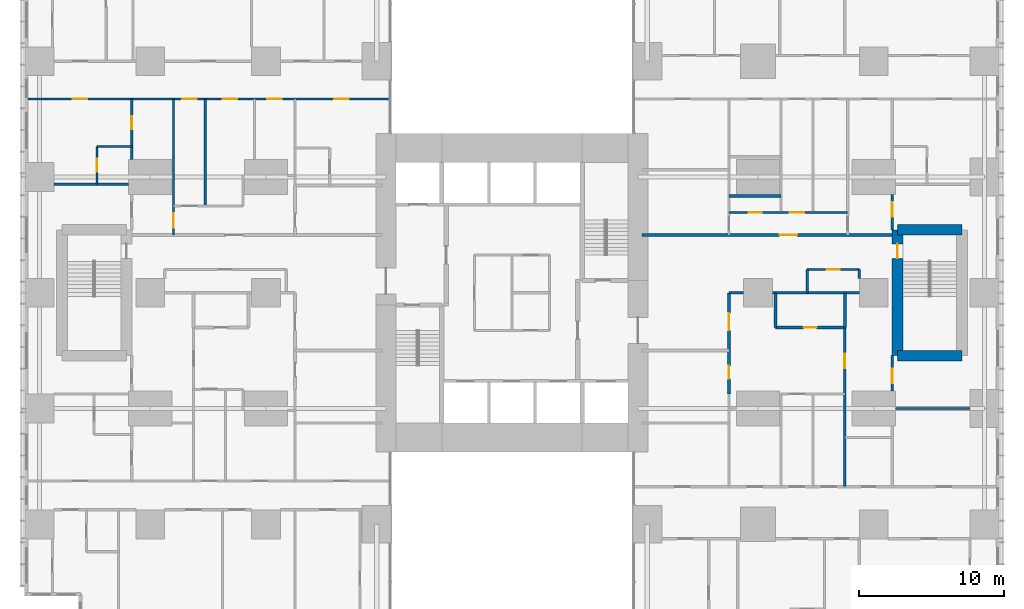
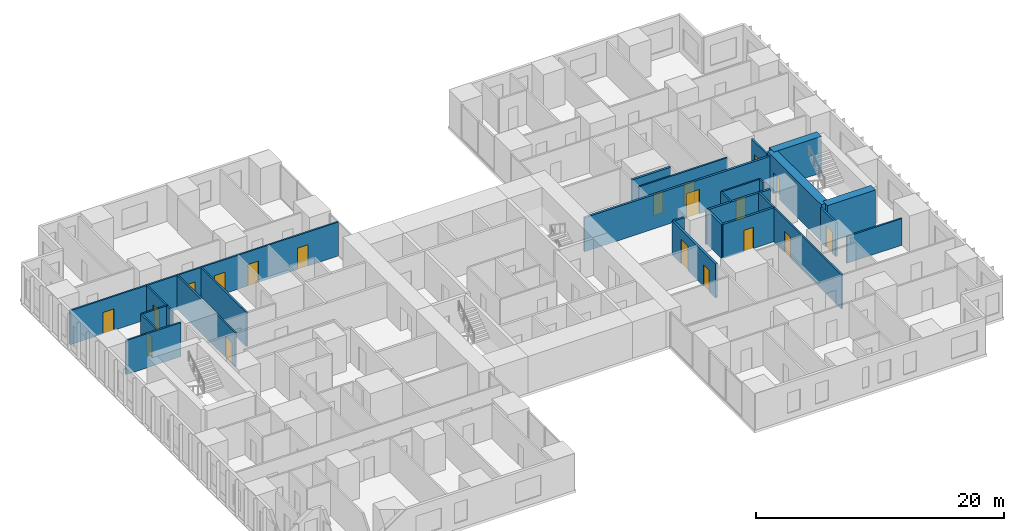
# One storey, part 16 of 20: 26 walls, 19 doors, 19 openings.
"""IFC4 building model written with IfcOpenShell, lengths in metres."""

import ifcopenshell
import ifcopenshell.guid

model = None  # the IFC model being written
_history = None  # IfcOwnerHistory: only IFC2X3 demands one
_inside = {}  # id of a spatial element -> (the spatial element, [elements in it])
_under = {}  # id of a project, library or spatial element -> (it, [spatial elements below it])
_declared = {}  # id of a project -> (the project, [libraries it declares])
_typed = {}  # id of a type object -> (the type object, [elements of that type])
_made_of = {}  # id of a material, layer set ... -> (it, [elements and type objects made of it])


def new_model(schema):
    """Start an empty IFC model of exactly this schema.

    Asked for "IFC4X3", IfcOpenShell would pick the latest addendum, in which some entities
    have other attributes; the version numbers below select the first issue.
    IFC2X3 requires an IfcOwnerHistory on every rooted entity: one is made here for all.
    """
    global model, _history
    if schema == "IFC4X3":
        model = ifcopenshell.file(schema_version=(4, 3, 0, 0))
    else:
        model = ifcopenshell.file(schema=schema)
    _inside.clear()
    _under.clear()
    _declared.clear()
    _typed.clear()
    _made_of.clear()
    _history = None
    if model.schema == "IFC2X3":
        org = make("IfcOrganization", Name="unknown")
        user = make(
            "IfcPersonAndOrganization",
            ThePerson=make("IfcPerson", FamilyName="unknown"),
            TheOrganization=org,
        )
        app = make(
            "IfcApplication",
            ApplicationDeveloper=org,
            Version="unknown",
            ApplicationFullName="unknown",
            ApplicationIdentifier="unknown",
        )
        _history = make(
            "IfcOwnerHistory",
            OwningUser=user,
            OwningApplication=app,
            ChangeAction="ADDED",
            CreationDate=0,
        )
    return model


def make(cls, **values):
    """One entity of the class cls with the attributes given. An attribute that is None is left unset."""
    return model.create_entity(
        cls, **{name: value for name, value in values.items() if value is not None}
    )


def rooted(cls, **values):
    """An entity with a GlobalId (a new one), such as an element, a storey or a relation."""
    return make(cls, GlobalId=ifcopenshell.guid.new(), OwnerHistory=_history, **values)


def si_unit(unit_type, name, prefix=None):
    """IfcSIUnit, for example si_unit("LENGTHUNIT", "METRE", prefix="MILLI")."""
    return make("IfcSIUnit", UnitType=unit_type, Prefix=prefix, Name=name)


def assignment(units):
    """IfcUnitAssignment: the units of a project."""
    return None if units is None else make("IfcUnitAssignment", Units=units)


def point(xyz):
    """IfcCartesianPoint."""
    return None if xyz is None else make("IfcCartesianPoint", Coordinates=xyz)


def direction(xyz):
    """IfcDirection."""
    return None if xyz is None else make("IfcDirection", DirectionRatios=xyz)


def frame(location, z_axis=None, x_axis=None):
    """IfcAxis2Placement3D, a coordinate frame: its origin and axes. An axis left out is left unset."""
    return make(
        "IfcAxis2Placement3D",
        Location=point(location),
        Axis=direction(z_axis),
        RefDirection=direction(x_axis),
    )


def frame_2d(location, x_axis=None):
    """IfcAxis2Placement2D, a coordinate frame in the plane: its origin and x axis."""
    return make(
        "IfcAxis2Placement2D", Location=point(location), RefDirection=direction(x_axis)
    )


def origin():
    """The frame at (0, 0, 0) with its axes left unset."""
    return frame((0.0, 0.0, 0.0))


def place(relative_to, where):
    """IfcLocalPlacement: puts the frame where relative to a parent placement (None: the world)."""
    return make(
        "IfcLocalPlacement", PlacementRelTo=relative_to, RelativePlacement=where
    )


def context(
    kind, dimensions, precision=None, world=None, true_north=None, identifier=None
):
    """IfcGeometricRepresentationContext, for example the 3D "Model" context."""
    return make(
        "IfcGeometricRepresentationContext",
        ContextIdentifier=identifier,
        ContextType=kind,
        CoordinateSpaceDimension=dimensions,
        Precision=precision,
        WorldCoordinateSystem=world,
        TrueNorth=true_north,
    )


def subcontext(parent, identifier, kind, view, scale=None):
    """IfcGeometricRepresentationSubContext, for example "Body" below "Model"."""
    return make(
        "IfcGeometricRepresentationSubContext",
        ContextIdentifier=identifier,
        ContextType=kind,
        ParentContext=parent,
        TargetScale=scale,
        TargetView=view,
    )


def project(units=None, contexts=None):
    """IfcProject with its units and contexts."""
    return rooted(
        "IfcProject",
        Name="project",
        RepresentationContexts=contexts,
        UnitsInContext=assignment(units),
    )


def spatial(cls, under=None, at=None, **own):
    """A site, building, storey or space (cls), placed at a placement, below another one or the project."""
    s = rooted(cls, ObjectPlacement=at, **own)
    if under is not None:
        _under.setdefault(under.id(), (under, []))[1].append(s)
    return s


def profile(cls, at=None, kind="AREA", **sizes):
    """A parametric profile (cls). Its sizes go by their IFC names, for example OverallWidth=200.0."""
    return make(cls, ProfileType=kind, Position=at, **sizes)


def rectangle(**sizes):
    """IfcRectangleProfileDef."""
    return profile("IfcRectangleProfileDef", **sizes)


def extrude(swept, where, along, depth):
    """IfcExtrudedAreaSolid: the profile swept, set in the frame where, extruded along a direction by depth."""
    return make(
        "IfcExtrudedAreaSolid",
        SweptArea=swept,
        Position=where,
        ExtrudedDirection=direction(along),
        Depth=depth,
    )


def shape(context_of_items, identifier, shape_type, items):
    """IfcShapeRepresentation: the items that make up one representation, for example the "Body"."""
    return make(
        "IfcShapeRepresentation",
        ContextOfItems=context_of_items,
        RepresentationIdentifier=identifier,
        RepresentationType=shape_type,
        Items=items,
    )


def material(Name=None, Category=None):
    """IfcMaterial."""
    return make("IfcMaterial", Name=Name, Category=Category)


def layer(
    of_material, thickness, ventilated=None, Name=None, Category=None, Priority=None
):
    """IfcMaterialLayer: one layer of a wall or slab, of a material (None: an air gap)."""
    return make(
        "IfcMaterialLayer",
        Material=of_material,
        LayerThickness=thickness,
        IsVentilated=ventilated,
        Name=Name,
        Category=Category,
        Priority=Priority,
    )


def layer_set(layers, Name=None):
    """IfcMaterialLayerSet."""
    return make("IfcMaterialLayerSet", MaterialLayers=layers, LayerSetName=Name)


def made_of(thing, what):
    """Note that an element or type object is made of a material, layer set ...; save() writes the relation."""
    if what is not None:
        _made_of.setdefault(what.id(), (what, []))[1].append(thing)
    return thing


def type_object(cls, material=None, **own):
    """A type object (cls), such as IfcWallType, which elements share."""
    return made_of(rooted(cls, **own), material)


def element(
    cls,
    number,
    at=None,
    inside=None,
    cuts=None,
    type_object=None,
    material=None,
    context=None,
    identifier="Body",
    shape_type=None,
    held_by="IfcProductDefinitionShape",
    body=None,
    shapes=None,
    **own,
):
    """One element of the class cls, such as IfcWall. Its Tag is "e" and its number.

    at: its placement. inside: the storey or other place that contains it. cuts: it is an
    opening in that element (IfcRelVoidsElement). A single representation is given by context,
    identifier, shape_type and body (its items); several are given by shapes. held_by: the class
    of the entity that holds the representations. save() writes the other relations.
    """
    e = rooted(cls, Tag="e%d" % number, ObjectPlacement=at, **own)
    if body is not None:
        shapes = [shape(context, identifier, shape_type, body)]
    if shapes is not None:
        e.Representation = make(held_by, Representations=shapes)
    if inside is not None:
        _inside.setdefault(inside.id(), (inside, []))[1].append(e)
    if cuts is not None:
        rooted(
            "IfcRelVoidsElement", RelatingBuildingElement=cuts, RelatedOpeningElement=e
        )
    if type_object is not None:
        _typed.setdefault(type_object.id(), (type_object, []))[1].append(e)
    return made_of(e, material)


def fill(opening, filler):
    """IfcRelFillsElement: the door or window that sits in an opening."""
    return rooted(
        "IfcRelFillsElement",
        RelatingOpeningElement=opening,
        RelatedBuildingElement=filler,
    )


def aggregate(whole, parts):
    """IfcRelAggregates: a whole, such as a stair, and the parts it consists of."""
    return rooted("IfcRelAggregates", RelatingObject=whole, RelatedObjects=parts)


def save(model, path):
    """Write the relations noted so far, then the file.

    IfcRelAggregates (storeys below a building ...), IfcRelContainedInSpatialStructure (elements
    in a storey), IfcRelDefinesByType, IfcRelAssociatesMaterial and IfcRelDeclares: one each for
    every whole, place, type object, material and project.
    """
    for whole, parts in _under.values():
        aggregate(whole, parts)
    for where, things in _inside.values():
        rooted(
            "IfcRelContainedInSpatialStructure",
            RelatedElements=things,
            RelatingStructure=where,
        )
    for kind, things in _typed.values():
        rooted("IfcRelDefinesByType", RelatedObjects=things, RelatingType=kind)
    for what, things in _made_of.values():
        rooted("IfcRelAssociatesMaterial", RelatedObjects=things, RelatingMaterial=what)
    for by, libraries in _declared.values():
        rooted("IfcRelDeclares", RelatingContext=by, RelatedDefinitions=libraries)
    model.write(path)


model = new_model("IFC4")

# Units and contexts
model_context = context("Model", 3, precision=1e-05, world=origin(), true_north=direction((0.0, 1.0)))
body_context = subcontext(model_context, "Body", "Model", "MODEL_VIEW")
ifc_project = project(units=[si_unit("LENGTHUNIT", "METRE"), si_unit("AREAUNIT", "SQUARE_METRE"), si_unit("VOLUMEUNIT", "CUBIC_METRE"), si_unit("PLANEANGLEUNIT", "RADIAN"), si_unit("MASSUNIT", "GRAM", prefix="KILO")], contexts=[model_context])

# Site, building, storey
site_placement = place(None, origin())
site = spatial("IfcSite", under=ifc_project, at=site_placement, CompositionType="ELEMENT")
building_placement = place(site_placement, origin())
building = spatial("IfcBuilding", under=site, at=building_placement, Name="Cleftline Residences", CompositionType="ELEMENT")
storey_placement = place(building_placement, frame((0.0, 0.0, 72.800048828125)))
storey = spatial("IfcBuildingStorey", under=building, at=storey_placement, Name="L18", CompositionType="ELEMENT", Elevation=72.800048828125)

# Wall, opening, door
ifc_material_1 = material(Name="Concrete blockwork, fire rated", Category="masonry")
ifc_layer_1 = layer(ifc_material_1, 0.199951171875)
ifc_layer_set_1 = layer_set([ifc_layer_1], Name="FIRE WALL 200")
wall_type_1 = type_object("IfcWallType", Name="FIRE WALL 200", PredefinedType="PARTITIONING", material=ifc_layer_set_1)
wall_1_placement = place(storey_placement, frame((51.199951171875, 21.60009765625, 0.0), z_axis=(0.0, 0.0, 1.0), x_axis=(1.0, 0.0, 0.0)))
wall_1 = element("IfcWall", 1, at=wall_1_placement, inside=storey, type_object=wall_type_1, Name="Fire separating wall", PredefinedType="PARTITIONING", context=body_context, shape_type="SweptSolid", body=[
    extrude(rectangle(XDim=4.800048828125, YDim=0.199951171875, at=frame_2d((2.39990234375, 0.0))), origin(), (0.0, 0.0, 1.0), 3.349853515625),
])
opening_1_placement = place(wall_1_placement, frame((1.949951171875, 0.0, 0.0)))
opening_1 = element("IfcOpeningElement", 2, at=opening_1_placement, cuts=wall_1, Name="Opening D1F30", PredefinedType="OPENING", context=body_context, shape_type="SweptSolid", body=[
    extrude(rectangle(XDim=0.89990234375, YDim=2.10009765625, at=frame_2d((0.449951171875, 1.050048828125))), frame((0.0, 0.10986328125, 0.0), z_axis=(0.0, -1.0, 0.0), x_axis=(1.0, 0.0, 0.0)), (0.0, 0.0, 1.0), 0.219970703125),
])
ifc_material_2 = material(Name="Timber veneer on solid core", Category="wood")
door_type_1 = type_object("IfcDoorType", Name="DOOR 900X2100 EI 30", OperationType="SINGLE_SWING_LEFT", PredefinedType="DOOR", material=ifc_material_2)
door_1_placement = place(opening_1_placement, origin())
door_1 = element("IfcDoor", 3, at=door_1_placement, inside=storey, type_object=door_type_1, Name="Door to cloakroom wc", OperationType="SINGLE_SWING_LEFT", OverallHeight=2.10009765625, OverallWidth=0.89990234375, PredefinedType="DOOR", context=body_context, shape_type="SweptSolid", body=[
    extrude(rectangle(XDim=0.89990234375, YDim=2.10009765625, at=frame_2d((0.449951171875, 1.050048828125))), frame((0.0, 0.02490234375, 0.0), z_axis=(0.0, -1.0, 0.0), x_axis=(1.0, 0.0, 0.0)), (0.0, 0.0, 1.0), 0.050048828125),
])
fill(opening_1, door_1)

# Walls
wall_2_placement = place(storey_placement, frame((48.0, 24.0, 0.0), z_axis=(0.0, 0.0, 1.0), x_axis=(1.0, 0.0, 0.0)))
element("IfcWall", 4, at=wall_2_placement, inside=storey, type_object=wall_type_1, Name="Fire separating wall", PredefinedType="PARTITIONING", context=body_context, shape_type="SweptSolid", body=[
    extrude(rectangle(XDim=1.0, YDim=0.199951171875, at=frame_2d((0.5, 0.0))), origin(), (0.0, 0.0, 1.0), 3.349853515625),
])
wall_3_placement = place(storey_placement, frame((51.0, 24.0, 0.0), z_axis=(0.0, 0.0, 1.0), x_axis=(1.0, 0.0, 0.0)))
element("IfcWall", 5, at=wall_3_placement, inside=storey, type_object=wall_type_1, Name="Fire separating wall", PredefinedType="PARTITIONING", context=body_context, shape_type="SweptSolid", body=[
    extrude(rectangle(XDim=6.0, YDim=0.199951171875, at=frame_2d((3.0, 0.0))), origin(), (0.0, 0.0, 1.0), 3.349853515625),
])

# Wall, opening, door
wall_4_placement = place(storey_placement, frame((42.0, 28.0, 0.0), z_axis=(0.0, 0.0, 1.0), x_axis=(1.0, 0.0, 0.0)))
wall_4 = element("IfcWall", 6, at=wall_4_placement, inside=storey, type_object=wall_type_1, Name="Fire separating wall", PredefinedType="PARTITIONING", context=body_context, shape_type="SweptSolid", body=[
    extrude(rectangle(XDim=17.27490234375, YDim=0.199951171875, at=frame_2d((8.637451171875, 0.0))), origin(), (0.0, 0.0, 1.0), 3.349853515625),
])
opening_2_placement = place(wall_4_placement, frame((9.5, 0.0, 0.0)))
opening_2 = element("IfcOpeningElement", 7, at=opening_2_placement, cuts=wall_4, Name="Opening D4", PredefinedType="OPENING", context=body_context, shape_type="SweptSolid", body=[
    extrude(rectangle(XDim=1.199951171875, YDim=2.39990234375, at=frame_2d((0.60009765625, 1.199951171875))), frame((0.0, 0.10986328125, 0.0), z_axis=(0.0, -1.0, 0.0), x_axis=(1.0, 0.0, 0.0)), (0.0, 0.0, 1.0), 0.219970703125),
])
ifc_material_3 = material(Name="Timber veneer on solid core", Category="wood")
door_type_2 = type_object("IfcDoorType", Name="APARTMENT ENTRANCE DOOR 1200X2400", OperationType="SINGLE_SWING_RIGHT", PredefinedType="DOOR", material=ifc_material_3)
door_2_placement = place(opening_2_placement, origin())
door_2 = element("IfcDoor", 8, at=door_2_placement, inside=storey, type_object=door_type_2, Name="Door to residence entrance foyer", OperationType="SINGLE_SWING_LEFT", OverallHeight=2.39990234375, OverallWidth=1.199951171875, PredefinedType="DOOR", context=body_context, shape_type="SweptSolid", body=[
    extrude(rectangle(XDim=1.199951171875, YDim=2.39990234375, at=frame_2d((0.60009765625, 1.199951171875))), frame((0.0, 0.02490234375, 0.0), z_axis=(0.0, -1.0, 0.0), x_axis=(1.0, 0.0, 0.0)), (0.0, 0.0, 1.0), 0.050048828125),
])
fill(opening_2, door_2)

# Wall
wall_5_placement = place(storey_placement, frame((48.0, 30.699951171875, 0.0), z_axis=(0.0, 0.0, 1.0), x_axis=(1.0, 0.0, 0.0)))
element("IfcWall", 9, at=wall_5_placement, inside=storey, type_object=wall_type_1, Name="Fire separating wall", PredefinedType="PARTITIONING", context=body_context, shape_type="SweptSolid", body=[
    extrude(rectangle(XDim=3.60009765625, YDim=0.199951171875, at=frame_2d((1.800048828125, 0.0))), origin(), (0.0, 0.0, 1.0), 3.349853515625),
])

# Wall, openings, doors
wall_6_placement = place(storey_placement, frame((48.0, 17.0, 0.0), z_axis=(0.0, 0.0, 1.0), x_axis=(0.0, 1.0, 0.0)))
wall_6 = element("IfcWall", 10, at=wall_6_placement, inside=storey, type_object=wall_type_1, Name="Fire separating wall", PredefinedType="PARTITIONING", context=body_context, shape_type="SweptSolid", body=[
    extrude(rectangle(XDim=7.0, YDim=0.199951171875, at=frame_2d((3.5, 0.0))), origin(), (0.0, 0.0, 1.0), 3.349853515625),
])
opening_3_placement = place(wall_6_placement, frame((4.39990234375, 0.0, 0.0)))
opening_3 = element("IfcOpeningElement", 11, at=opening_3_placement, cuts=wall_6, Name="Opening D4", PredefinedType="OPENING", context=body_context, shape_type="SweptSolid", body=[
    extrude(rectangle(XDim=1.199951171875, YDim=2.39990234375, at=frame_2d((0.60009765625, 1.199951171875))), frame((0.0, 0.10986328125, 0.0), z_axis=(0.0, -1.0, 0.0), x_axis=(1.0, 0.0, 0.0)), (0.0, 0.0, 1.0), 0.219970703125),
])
opening_4_placement = place(wall_6_placement, frame((1.050048828125, 0.0, 0.0)))
opening_4 = element("IfcOpeningElement", 12, at=opening_4_placement, cuts=wall_6, Name="Opening D1F30", PredefinedType="OPENING", context=body_context, shape_type="SweptSolid", body=[
    extrude(rectangle(XDim=0.89990234375, YDim=2.10009765625, at=frame_2d((0.449951171875, 1.050048828125))), frame((0.0, 0.10986328125, 0.0), z_axis=(0.0, -1.0, 0.0), x_axis=(1.0, 0.0, 0.0)), (0.0, 0.0, 1.0), 0.219970703125),
])
door_3_placement = place(opening_3_placement, origin())
door_3 = element("IfcDoor", 13, at=door_3_placement, inside=storey, type_object=door_type_2, Name="Door to residence entrance foyer", OperationType="SINGLE_SWING_LEFT", OverallHeight=2.39990234375, OverallWidth=1.199951171875, PredefinedType="DOOR", context=body_context, shape_type="SweptSolid", body=[
    extrude(rectangle(XDim=1.199951171875, YDim=2.39990234375, at=frame_2d((0.60009765625, 1.199951171875))), frame((0.0, 0.02490234375, 0.0), z_axis=(0.0, -1.0, 0.0), x_axis=(1.0, 0.0, 0.0)), (0.0, 0.0, 1.0), 0.050048828125),
])
fill(opening_3, door_3)
door_4_placement = place(opening_4_placement, origin())
door_4 = element("IfcDoor", 14, at=door_4_placement, inside=storey, type_object=door_type_1, Name="Door to laundry", OperationType="SINGLE_SWING_RIGHT", OverallHeight=2.10009765625, OverallWidth=0.89990234375, PredefinedType="DOOR", context=body_context, shape_type="SweptSolid", body=[
    extrude(rectangle(XDim=0.89990234375, YDim=2.10009765625, at=frame_2d((0.449951171875, 1.050048828125))), frame((0.0, 0.02490234375, 0.0), z_axis=(0.0, -1.0, 0.0), x_axis=(1.0, 0.0, 0.0)), (0.0, 0.0, 1.0), 0.050048828125),
])
fill(opening_4, door_4)

# Walls
for number, where, z_axis, x_axis, name in (
    (15, (51.199951171875, 21.60009765625, 0.0), (0.0, 0.0, 1.0), (0.0, 1.0, 0.0), "Fire separating wall"),
    (16, (56.0, 21.60009765625, 0.0), (0.0, 0.0, 1.0), (0.0, 1.0, 0.0), "Fire separating wall"),
):
    element("IfcWall", number, at=place(storey_placement, frame(where, z_axis=z_axis, x_axis=x_axis)), inside=storey, type_object=wall_type_1, Name=name, PredefinedType="PARTITIONING", context=body_context, shape_type="SweptSolid", body=[
        extrude(rectangle(XDim=2.39990234375, YDim=0.199951171875, at=frame_2d((1.199951171875, 0.0))), origin(), (0.0, 0.0, 1.0), 3.349853515625),
    ])
ifc_material_4 = material(Name="Gypsum board on steel studs", Category="steel")
ifc_layer_2 = layer(ifc_material_4, 0.14990234375)
ifc_layer_set_2 = layer_set([ifc_layer_2], Name="PARTITION 150")
wall_type_2 = type_object("IfcWallType", Name="PARTITION 150", PredefinedType="PARTITIONING", material=ifc_layer_set_2)
wall_7_placement = place(storey_placement, frame((59.5, 16.0, 0.0), z_axis=(0.0, 0.0, 1.0), x_axis=(1.0, 0.0, 0.0)))
element("IfcWall", 17, at=wall_7_placement, inside=storey, type_object=wall_type_2, Name="Partition", PredefinedType="PARTITIONING", context=body_context, shape_type="SweptSolid", body=[
    extrude(rectangle(XDim=5.14990234375, YDim=0.14990234375, at=frame_2d((2.574951171875, 0.0))), origin(), (0.0, 0.0, 1.0), 2.634033203125),
])

# Wall, opening, door
wall_8_placement = place(storey_placement, frame((53.39990234375, 25.60009765625, 0.0), z_axis=(0.0, 0.0, 1.0), x_axis=(1.0, 0.0, 0.0)))
wall_8 = element("IfcWall", 18, at=wall_8_placement, inside=storey, type_object=wall_type_2, Name="Partition", PredefinedType="PARTITIONING", context=body_context, shape_type="SweptSolid", body=[
    extrude(rectangle(XDim=3.60009765625, YDim=0.14990234375, at=frame_2d((1.800048828125, 0.0))), origin(), (0.0, 0.0, 1.0), 3.349853515625),
])
opening_5_placement = place(wall_8_placement, frame((1.35009765625, 0.0, 0.0)))
opening_5 = element("IfcOpeningElement", 19, at=opening_5_placement, cuts=wall_8, Name="Opening D1", PredefinedType="OPENING", context=body_context, shape_type="SweptSolid", body=[
    extrude(rectangle(XDim=0.89990234375, YDim=2.10009765625, at=frame_2d((0.449951171875, 1.050048828125))), frame((0.0, 0.0849609375, 0.0), z_axis=(0.0, -1.0, 0.0), x_axis=(1.0, 0.0, 0.0)), (0.0, 0.0, 1.0), 0.169921875),
])
ifc_material_5 = material(Name="Timber veneer on solid core", Category="wood")
door_type_3 = type_object("IfcDoorType", Name="DOOR 900X2100", OperationType="SINGLE_SWING_LEFT", PredefinedType="DOOR", material=ifc_material_5)
door_5_placement = place(opening_5_placement, origin())
door_5 = element("IfcDoor", 20, at=door_5_placement, inside=storey, type_object=door_type_3, Name="Door to residents' storage room", OperationType="SINGLE_SWING_LEFT", OverallHeight=2.10009765625, OverallWidth=0.89990234375, PredefinedType="DOOR", context=body_context, shape_type="SweptSolid", body=[
    extrude(rectangle(XDim=0.89990234375, YDim=2.10009765625, at=frame_2d((0.449951171875, 1.050048828125))), frame((0.0, 0.02490234375, 0.0), z_axis=(0.0, -1.0, 0.0), x_axis=(1.0, 0.0, 0.0)), (0.0, 0.0, 1.0), 0.050048828125),
])
fill(opening_5, door_5)

# Wall, openings, doors
wall_9_placement = place(storey_placement, frame((48.0, 29.550048828125, 0.0), z_axis=(0.0, 0.0, 1.0), x_axis=(1.0, 0.0, 0.0)))
wall_9 = element("IfcWall", 21, at=wall_9_placement, inside=storey, type_object=wall_type_2, Name="Partition", PredefinedType="PARTITIONING", context=body_context, shape_type="SweptSolid", body=[
    extrude(rectangle(XDim=8.199951171875, YDim=0.14990234375, at=frame_2d((4.10009765625, 0.0))), origin(), (0.0, 0.0, 1.0), 3.349853515625),
])
opening_6_placement = place(wall_9_placement, frame((4.199951171875, 0.0, 0.0)))
opening_6 = element("IfcOpeningElement", 22, at=opening_6_placement, cuts=wall_9, Name="Opening D2", PredefinedType="OPENING", context=body_context, shape_type="SweptSolid", body=[
    extrude(rectangle(XDim=1.0, YDim=2.10009765625, at=frame_2d((0.5, 1.050048828125))), frame((0.0, 0.0849609375, 0.0), z_axis=(0.0, -1.0, 0.0), x_axis=(1.0, 0.0, 0.0)), (0.0, 0.0, 1.0), 0.169921875),
])
opening_7_placement = place(wall_9_placement, frame((1.35009765625, 0.0, 0.0)))
opening_7 = element("IfcOpeningElement", 23, at=opening_7_placement, cuts=wall_9, Name="Opening D1", PredefinedType="OPENING", context=body_context, shape_type="SweptSolid", body=[
    extrude(rectangle(XDim=0.89990234375, YDim=2.10009765625, at=frame_2d((0.449951171875, 1.050048828125))), frame((0.0, 0.0849609375, 0.0), z_axis=(0.0, -1.0, 0.0), x_axis=(1.0, 0.0, 0.0)), (0.0, 0.0, 1.0), 0.169921875),
])
ifc_material_6 = material(Name="Timber veneer on solid core", Category="wood")
door_type_4 = type_object("IfcDoorType", Name="DOOR 1000X2100", OperationType="SINGLE_SWING_LEFT", PredefinedType="DOOR", material=ifc_material_6)
door_6_placement = place(opening_6_placement, origin())
door_6 = element("IfcDoor", 24, at=door_6_placement, inside=storey, type_object=door_type_4, Name="Door to residence passage", OperationType="SINGLE_SWING_LEFT", OverallHeight=2.10009765625, OverallWidth=1.0, PredefinedType="DOOR", context=body_context, shape_type="SweptSolid", body=[
    extrude(rectangle(XDim=1.0, YDim=2.10009765625, at=frame_2d((0.5, 1.050048828125))), frame((0.0, 0.02490234375, 0.0), z_axis=(0.0, -1.0, 0.0), x_axis=(1.0, 0.0, 0.0)), (0.0, 0.0, 1.0), 0.050048828125),
])
fill(opening_6, door_6)
door_7_placement = place(opening_7_placement, origin())
door_7 = element("IfcDoor", 25, at=door_7_placement, inside=storey, type_object=door_type_3, Name="Door to linen store", OperationType="SINGLE_SWING_RIGHT", OverallHeight=2.10009765625, OverallWidth=0.89990234375, PredefinedType="DOOR", context=body_context, shape_type="SweptSolid", body=[
    extrude(rectangle(XDim=0.89990234375, YDim=2.10009765625, at=frame_2d((0.449951171875, 1.050048828125))), frame((0.0, 0.02490234375, 0.0), z_axis=(0.0, -1.0, 0.0), x_axis=(1.0, 0.0, 0.0)), (0.0, 0.0, 1.0), 0.050048828125),
])
fill(opening_7, door_7)

# Walls
wall_10_placement = place(storey_placement, frame((1.35009765625, 31.5, 0.0), z_axis=(0.0, 0.0, 1.0), x_axis=(1.0, 0.0, 0.0)))
element("IfcWall", 26, at=wall_10_placement, inside=storey, type_object=wall_type_2, Name="Partition", PredefinedType="PARTITIONING", context=body_context, shape_type="SweptSolid", body=[
    extrude(rectangle(XDim=5.14990234375, YDim=0.14990234375, at=frame_2d((2.574951171875, 0.0))), origin(), (0.0, 0.0, 1.0), 3.349853515625),
])
wall_11_placement = place(storey_placement, frame((4.324951171875, 34.10009765625, 0.0), z_axis=(0.0, 0.0, 1.0), x_axis=(1.0, 0.0, 0.0)))
element("IfcWall", 27, at=wall_11_placement, inside=storey, type_object=wall_type_2, Name="Partition", PredefinedType="PARTITIONING", context=body_context, shape_type="SweptSolid", body=[
    extrude(rectangle(XDim=2.400146484375, YDim=0.14990234375, at=frame_2d((1.2001953125, 0.0))), origin(), (0.0, 0.0, 1.0), 3.349853515625),
])

# Wall, openings, doors
wall_12_placement = place(storey_placement, frame((-0.449951171875, 37.39990234375, 0.0), z_axis=(0.0, 0.0, 1.0), x_axis=(1.0, 0.0, 0.0)))
wall_12 = element("IfcWall", 28, at=wall_12_placement, inside=storey, type_object=wall_type_2, Name="Partition", PredefinedType="PARTITIONING", context=body_context, shape_type="SweptSolid", body=[
    extrude(rectangle(XDim=25.010986328125, YDim=0.14990234375, at=frame_2d((12.50537109375, 0.0))), origin(), (0.0, 0.0, 1.0), 3.349853515625),
])
opening_8_placement = place(wall_12_placement, frame((10.64990234375, 0.0, 0.0)))
opening_8 = element("IfcOpeningElement", 29, at=opening_8_placement, cuts=wall_12, Name="Opening D2", PredefinedType="OPENING", context=body_context, shape_type="SweptSolid", body=[
    extrude(rectangle(XDim=1.0, YDim=2.10009765625, at=frame_2d((0.5, 1.050048828125))), frame((0.0, 0.0849609375, 0.0), z_axis=(0.0, -1.0, 0.0), x_axis=(1.0, 0.0, 0.0)), (0.0, 0.0, 1.0), 0.169921875),
])
opening_9_placement = place(wall_12_placement, frame((3.08740234375, 0.0, 0.0)))
opening_9 = element("IfcOpeningElement", 30, at=opening_9_placement, cuts=wall_12, Name="Opening D2", PredefinedType="OPENING", context=body_context, shape_type="SweptSolid", body=[
    extrude(rectangle(XDim=1.0, YDim=2.10009765625, at=frame_2d((0.5, 1.050048828125))), frame((0.0, 0.0849609375, 0.0), z_axis=(0.0, -1.0, 0.0), x_axis=(1.0, 0.0, 0.0)), (0.0, 0.0, 1.0), 0.169921875),
])
opening_10_placement = place(wall_12_placement, frame((13.449951171875, 0.0, 0.0)))
opening_10 = element("IfcOpeningElement", 31, at=opening_10_placement, cuts=wall_12, Name="Opening D2", PredefinedType="OPENING", context=body_context, shape_type="SweptSolid", body=[
    extrude(rectangle(XDim=1.0, YDim=2.10009765625, at=frame_2d((0.5, 1.050048828125))), frame((0.0, 0.0849609375, 0.0), z_axis=(0.0, -1.0, 0.0), x_axis=(1.0, 0.0, 0.0)), (0.0, 0.0, 1.0), 0.169921875),
])
opening_11_placement = place(wall_12_placement, frame((16.550048828125, 0.0, 0.0)))
opening_11 = element("IfcOpeningElement", 32, at=opening_11_placement, cuts=wall_12, Name="Opening D2", PredefinedType="OPENING", context=body_context, shape_type="SweptSolid", body=[
    extrude(rectangle(XDim=1.0, YDim=2.10009765625, at=frame_2d((0.5, 1.050048828125))), frame((0.0, 0.0849609375, 0.0), z_axis=(0.0, -1.0, 0.0), x_axis=(1.0, 0.0, 0.0)), (0.0, 0.0, 1.0), 0.169921875),
])
opening_12_placement = place(wall_12_placement, frame((21.175048828125, 0.0, 0.0)))
opening_12 = element("IfcOpeningElement", 33, at=opening_12_placement, cuts=wall_12, Name="Opening D2", PredefinedType="OPENING", context=body_context, shape_type="SweptSolid", body=[
    extrude(rectangle(XDim=1.0, YDim=2.10009765625, at=frame_2d((0.5, 1.050048828125))), frame((0.0, 0.0849609375, 0.0), z_axis=(0.0, -1.0, 0.0), x_axis=(1.0, 0.0, 0.0)), (0.0, 0.0, 1.0), 0.169921875),
])
door_8_placement = place(opening_8_placement, origin())
door_8 = element("IfcDoor", 34, at=door_8_placement, inside=storey, type_object=door_type_4, Name="Door to residence hall", OperationType="SINGLE_SWING_RIGHT", OverallHeight=2.10009765625, OverallWidth=1.0, PredefinedType="DOOR", context=body_context, shape_type="SweptSolid", body=[
    extrude(rectangle(XDim=1.0, YDim=2.10009765625, at=frame_2d((0.5, 1.050048828125))), frame((0.0, 0.02490234375, 0.0), z_axis=(0.0, -1.0, 0.0), x_axis=(1.0, 0.0, 0.0)), (0.0, 0.0, 1.0), 0.050048828125),
])
fill(opening_8, door_8)
door_9_placement = place(opening_9_placement, origin())
door_9 = element("IfcDoor", 35, at=door_9_placement, inside=storey, type_object=door_type_4, Name="Door to master bedroom", OperationType="SINGLE_SWING_RIGHT", OverallHeight=2.10009765625, OverallWidth=1.0, PredefinedType="DOOR", context=body_context, shape_type="SweptSolid", body=[
    extrude(rectangle(XDim=1.0, YDim=2.10009765625, at=frame_2d((0.5, 1.050048828125))), frame((0.0, 0.02490234375, 0.0), z_axis=(0.0, -1.0, 0.0), x_axis=(1.0, 0.0, 0.0)), (0.0, 0.0, 1.0), 0.050048828125),
])
fill(opening_9, door_9)
door_10_placement = place(opening_10_placement, origin())
door_10 = element("IfcDoor", 36, at=door_10_placement, inside=storey, type_object=door_type_4, Name="Door to family room", OperationType="SINGLE_SWING_LEFT", OverallHeight=2.10009765625, OverallWidth=1.0, PredefinedType="DOOR", context=body_context, shape_type="SweptSolid", body=[
    extrude(rectangle(XDim=1.0, YDim=2.10009765625, at=frame_2d((0.5, 1.050048828125))), frame((0.0, 0.02490234375, 0.0), z_axis=(0.0, -1.0, 0.0), x_axis=(1.0, 0.0, 0.0)), (0.0, 0.0, 1.0), 0.050048828125),
])
fill(opening_10, door_10)
door_11_placement = place(opening_11_placement, origin())
door_11 = element("IfcDoor", 37, at=door_11_placement, inside=storey, type_object=door_type_4, Name="Door to wet kitchen", OperationType="SINGLE_SWING_LEFT", OverallHeight=2.10009765625, OverallWidth=1.0, PredefinedType="DOOR", context=body_context, shape_type="SweptSolid", body=[
    extrude(rectangle(XDim=1.0, YDim=2.10009765625, at=frame_2d((0.5, 1.050048828125))), frame((0.0, 0.02490234375, 0.0), z_axis=(0.0, -1.0, 0.0), x_axis=(1.0, 0.0, 0.0)), (0.0, 0.0, 1.0), 0.050048828125),
])
fill(opening_11, door_11)
door_12_placement = place(opening_12_placement, origin())
door_12 = element("IfcDoor", 38, at=door_12_placement, inside=storey, type_object=door_type_4, Name="Door to bedroom 3", OperationType="SINGLE_SWING_LEFT", OverallHeight=2.10009765625, OverallWidth=1.0, PredefinedType="DOOR", context=body_context, shape_type="SweptSolid", body=[
    extrude(rectangle(XDim=1.0, YDim=2.10009765625, at=frame_2d((0.5, 1.050048828125))), frame((0.0, 0.02490234375, 0.0), z_axis=(0.0, -1.0, 0.0), x_axis=(1.0, 0.0, 0.0)), (0.0, 0.0, 1.0), 0.050048828125),
])
fill(opening_12, door_12)

# Wall, opening, door
wall_13_placement = place(storey_placement, frame((4.324951171875, 31.5, 0.0), z_axis=(0.0, 0.0, 1.0), x_axis=(0.0, 1.0, 0.0)))
wall_13 = element("IfcWall", 39, at=wall_13_placement, inside=storey, type_object=wall_type_2, Name="Partition", PredefinedType="PARTITIONING", context=body_context, shape_type="SweptSolid", body=[
    extrude(rectangle(XDim=2.60009765625, YDim=0.14990234375, at=frame_2d((1.300048828125, 0.0))), origin(), (0.0, 0.0, 1.0), 3.349853515625),
])
opening_13_placement = place(wall_13_placement, frame((0.85009765625, 0.0, 0.0)))
opening_13 = element("IfcOpeningElement", 40, at=opening_13_placement, cuts=wall_13, Name="Opening D1", PredefinedType="OPENING", context=body_context, shape_type="SweptSolid", body=[
    extrude(rectangle(XDim=0.89990234375, YDim=2.10009765625, at=frame_2d((0.449951171875, 1.050048828125))), frame((0.0, 0.0849609375, 0.0), z_axis=(0.0, -1.0, 0.0), x_axis=(1.0, 0.0, 0.0)), (0.0, 0.0, 1.0), 0.169921875),
])
door_13_placement = place(opening_13_placement, origin())
door_13 = element("IfcDoor", 41, at=door_13_placement, inside=storey, type_object=door_type_3, Name="Door to master bathroom", OperationType="SINGLE_SWING_LEFT", OverallHeight=2.10009765625, OverallWidth=0.89990234375, PredefinedType="DOOR", context=body_context, shape_type="SweptSolid", body=[
    extrude(rectangle(XDim=0.89990234375, YDim=2.10009765625, at=frame_2d((0.449951171875, 1.050048828125))), frame((0.0, 0.02490234375, 0.0), z_axis=(0.0, -1.0, 0.0), x_axis=(1.0, 0.0, 0.0)), (0.0, 0.0, 1.0), 0.050048828125),
])
fill(opening_13, door_13)

wall_14_placement = place(storey_placement, frame((6.72509765625, 33.199951171875, 0.0), z_axis=(0.0, 0.0, 1.0), x_axis=(0.0, 1.0, 0.0)))
wall_14 = element("IfcWall", 42, at=wall_14_placement, inside=storey, type_object=wall_type_2, Name="Partition", PredefinedType="PARTITIONING", context=body_context, shape_type="SweptSolid", body=[
    extrude(rectangle(XDim=4.199951171875, YDim=0.14990234375, at=frame_2d((2.10009765625, 0.0))), origin(), (0.0, 0.0, 1.0), 3.349853515625),
])
opening_14_placement = place(wall_14_placement, frame((2.10009765625, 0.0, 0.0)))
opening_14 = element("IfcOpeningElement", 43, at=opening_14_placement, cuts=wall_14, Name="Opening D1", PredefinedType="OPENING", context=body_context, shape_type="SweptSolid", body=[
    extrude(rectangle(XDim=0.89990234375, YDim=2.10009765625, at=frame_2d((0.449951171875, 1.050048828125))), frame((0.0, 0.0849609375, 0.0), z_axis=(0.0, -1.0, 0.0), x_axis=(1.0, 0.0, 0.0)), (0.0, 0.0, 1.0), 0.169921875),
])
door_14_placement = place(opening_14_placement, origin())
door_14 = element("IfcDoor", 44, at=door_14_placement, inside=storey, type_object=door_type_3, Name="Door to master dressing room", OperationType="SINGLE_SWING_LEFT", OverallHeight=2.10009765625, OverallWidth=0.89990234375, PredefinedType="DOOR", context=body_context, shape_type="SweptSolid", body=[
    extrude(rectangle(XDim=0.89990234375, YDim=2.10009765625, at=frame_2d((0.449951171875, 1.050048828125))), frame((0.0, 0.02490234375, 0.0), z_axis=(0.0, -1.0, 0.0), x_axis=(1.0, 0.0, 0.0)), (0.0, 0.0, 1.0), 0.050048828125),
])
fill(opening_14, door_14)

wall_15_placement = place(storey_placement, frame((9.60009765625, 28.0, 0.0), z_axis=(0.0, 0.0, 1.0), x_axis=(0.0, 1.0, 0.0)))
wall_15 = element("IfcWall", 45, at=wall_15_placement, inside=storey, type_object=wall_type_2, Name="Partition", PredefinedType="PARTITIONING", context=body_context, shape_type="SweptSolid", body=[
    extrude(rectangle(XDim=9.39990234375, YDim=0.14990234375, at=frame_2d((4.699951171875, 0.0))), origin(), (0.0, 0.0, 1.0), 3.349853515625),
])
opening_15_placement = place(wall_15_placement, frame((0.5, 0.0, 0.0)))
opening_15 = element("IfcOpeningElement", 46, at=opening_15_placement, cuts=wall_15, Name="Opening D2F30", PredefinedType="OPENING", context=body_context, shape_type="SweptSolid", body=[
    extrude(rectangle(XDim=1.0, YDim=2.10009765625, at=frame_2d((0.5, 1.050048828125))), frame((0.0, 0.0849609375, 0.0), z_axis=(0.0, -1.0, 0.0), x_axis=(1.0, 0.0, 0.0)), (0.0, 0.0, 1.0), 0.169921875),
])
ifc_material_7 = material(Name="Timber veneer on solid core", Category="wood")
door_type_5 = type_object("IfcDoorType", Name="DOOR 1000X2100 EI 30", OperationType="SINGLE_SWING_LEFT", PredefinedType="DOOR", material=ifc_material_7)
door_15_placement = place(opening_15_placement, origin())
door_15 = element("IfcDoor", 47, at=door_15_placement, inside=storey, type_object=door_type_5, Name="Door to residence lobby", OperationType="SINGLE_SWING_RIGHT", OverallHeight=2.10009765625, OverallWidth=1.0, PredefinedType="DOOR", context=body_context, shape_type="SweptSolid", body=[
    extrude(rectangle(XDim=1.0, YDim=2.10009765625, at=frame_2d((0.5, 1.050048828125))), frame((0.0, 0.02490234375, 0.0), z_axis=(0.0, -1.0, 0.0), x_axis=(1.0, 0.0, 0.0)), (0.0, 0.0, 1.0), 0.050048828125),
])
fill(opening_15, door_15)

# Walls
wall_16_placement = place(storey_placement, frame((11.800048828125, 30.0, 0.0), z_axis=(0.0, 0.0, 1.0), x_axis=(0.0, 1.0, 0.0)))
element("IfcWall", 48, at=wall_16_placement, inside=storey, type_object=wall_type_2, Name="Partition", PredefinedType="PARTITIONING", context=body_context, shape_type="SweptSolid", body=[
    extrude(rectangle(XDim=7.39990234375, YDim=0.14990234375, at=frame_2d((3.699951171875, 0.0))), origin(), (0.0, 0.0, 1.0), 3.349853515625),
])
wall_17_placement = place(storey_placement, frame((53.39990234375, 24.0, 0.0), z_axis=(0.0, 0.0, 1.0), x_axis=(0.0, 1.0, 0.0)))
element("IfcWall", 49, at=wall_17_placement, inside=storey, type_object=wall_type_2, Name="Partition", PredefinedType="PARTITIONING", context=body_context, shape_type="SweptSolid", body=[
    extrude(rectangle(XDim=1.60009765625, YDim=0.14990234375, at=frame_2d((0.800048828125, 0.0))), origin(), (0.0, 0.0, 1.0), 3.349853515625),
])

# Wall, opening, door
wall_18_placement = place(storey_placement, frame((56.0, 10.60009765625, 0.0), z_axis=(0.0, 0.0, 1.0), x_axis=(0.0, 1.0, 0.0)))
wall_18 = element("IfcWall", 50, at=wall_18_placement, inside=storey, type_object=wall_type_2, Name="Partition", PredefinedType="PARTITIONING", context=body_context, shape_type="SweptSolid", body=[
    extrude(rectangle(XDim=11.0, YDim=0.14990234375, at=frame_2d((5.5, 0.0))), origin(), (0.0, 0.0, 1.0), 3.349853515625),
])
opening_16_placement = place(wall_18_placement, frame((8.199951171875, 0.0, 0.0)))
opening_16 = element("IfcOpeningElement", 51, at=opening_16_placement, cuts=wall_18, Name="Opening D2F30", PredefinedType="OPENING", context=body_context, shape_type="SweptSolid", body=[
    extrude(rectangle(XDim=1.0, YDim=2.10009765625, at=frame_2d((0.5, 1.050048828125))), frame((0.0, 0.0849609375, 0.0), z_axis=(0.0, -1.0, 0.0), x_axis=(1.0, 0.0, 0.0)), (0.0, 0.0, 1.0), 0.169921875),
])
door_16_placement = place(opening_16_placement, origin())
door_16 = element("IfcDoor", 52, at=door_16_placement, inside=storey, type_object=door_type_5, Name="Door to residence lobby (service)", OperationType="SINGLE_SWING_LEFT", OverallHeight=2.10009765625, OverallWidth=1.0, PredefinedType="DOOR", context=body_context, shape_type="SweptSolid", body=[
    extrude(rectangle(XDim=1.0, YDim=2.10009765625, at=frame_2d((0.5, 1.050048828125))), frame((0.0, 0.02490234375, 0.0), z_axis=(0.0, -1.0, 0.0), x_axis=(1.0, 0.0, 0.0)), (0.0, 0.0, 1.0), 0.050048828125),
])
fill(opening_16, door_16)

# Wall
wall_19_placement = place(storey_placement, frame((57.0, 25.0, 0.0), z_axis=(0.0, 0.0, 1.0), x_axis=(0.0, 1.0, 0.0)))
element("IfcWall", 53, at=wall_19_placement, inside=storey, type_object=wall_type_2, Name="Partition", PredefinedType="PARTITIONING", context=body_context, shape_type="SweptSolid", body=[
    extrude(rectangle(XDim=0.60009765625, YDim=0.14990234375, at=frame_2d((0.300048828125, 0.0))), origin(), (0.0, 0.0, 1.0), 3.349853515625),
])

# Wall, opening, door
wall_20_placement = place(storey_placement, frame((59.27490234375, 17.199951171875, 0.0), z_axis=(0.0, 0.0, 1.0), x_axis=(0.0, 1.0, 0.0)))
wall_20 = element("IfcWall", 54, at=wall_20_placement, inside=storey, type_object=wall_type_2, Name="Partition", PredefinedType="PARTITIONING", context=body_context, shape_type="SweptSolid", body=[
    extrude(rectangle(XDim=2.449951171875, YDim=0.14990234375, at=frame_2d((1.22509765625, 0.0))), origin(), (0.0, 0.0, 1.0), 3.349853515625),
])
opening_17_placement = place(wall_20_placement, frame((0.53759765625, 0.0, 0.0)))
opening_17 = element("IfcOpeningElement", 55, at=opening_17_placement, cuts=wall_20, Name="Opening D2", PredefinedType="OPENING", context=body_context, shape_type="SweptSolid", body=[
    extrude(rectangle(XDim=1.0, YDim=2.10009765625, at=frame_2d((0.5, 1.050048828125))), frame((0.0, 0.0849609375, 0.0), z_axis=(0.0, -1.0, 0.0), x_axis=(1.0, 0.0, 0.0)), (0.0, 0.0, 1.0), 0.169921875),
])
door_17_placement = place(opening_17_placement, origin())
door_17 = element("IfcDoor", 56, at=door_17_placement, inside=storey, type_object=door_type_4, Name="Door to sea-view dining room", OperationType="SINGLE_SWING_RIGHT", OverallHeight=2.10009765625, OverallWidth=1.0, PredefinedType="DOOR", context=body_context, shape_type="SweptSolid", body=[
    extrude(rectangle(XDim=1.0, YDim=2.10009765625, at=frame_2d((0.5, 1.050048828125))), frame((0.0, 0.02490234375, 0.0), z_axis=(0.0, -1.0, 0.0), x_axis=(1.0, 0.0, 0.0)), (0.0, 0.0, 1.0), 0.050048828125),
])
fill(opening_17, door_17)

wall_21_placement = place(storey_placement, frame((59.27490234375, 28.35009765625, 0.0), z_axis=(0.0, 0.0, 1.0), x_axis=(0.0, 1.0, 0.0)))
wall_21 = element("IfcWall", 57, at=wall_21_placement, inside=storey, type_object=wall_type_2, Name="Partition", PredefinedType="PARTITIONING", context=body_context, shape_type="SweptSolid", body=[
    extrude(rectangle(XDim=2.449951171875, YDim=0.14990234375, at=frame_2d((1.22509765625, 0.0))), origin(), (0.0, 0.0, 1.0), 3.349853515625),
])
opening_18_placement = place(wall_21_placement, frame((0.91259765625, 0.0, 0.0)))
opening_18 = element("IfcOpeningElement", 58, at=opening_18_placement, cuts=wall_21, Name="Opening D2", PredefinedType="OPENING", context=body_context, shape_type="SweptSolid", body=[
    extrude(rectangle(XDim=1.0, YDim=2.10009765625, at=frame_2d((0.5, 1.050048828125))), frame((0.0, 0.0849609375, 0.0), z_axis=(0.0, -1.0, 0.0), x_axis=(1.0, 0.0, 0.0)), (0.0, 0.0, 1.0), 0.169921875),
])
door_18_placement = place(opening_18_placement, origin())
door_18 = element("IfcDoor", 59, at=door_18_placement, inside=storey, type_object=door_type_4, Name="Door to bedroom 2", OperationType="SINGLE_SWING_LEFT", OverallHeight=2.10009765625, OverallWidth=1.0, PredefinedType="DOOR", context=body_context, shape_type="SweptSolid", body=[
    extrude(rectangle(XDim=1.0, YDim=2.10009765625, at=frame_2d((0.5, 1.050048828125))), frame((0.0, 0.02490234375, 0.0), z_axis=(0.0, -1.0, 0.0), x_axis=(1.0, 0.0, 0.0)), (0.0, 0.0, 1.0), 0.050048828125),
])
fill(opening_18, door_18)

# Walls
ifc_material_8 = material(Name="Concrete B70", Category="concrete")
ifc_layer_3 = layer(ifc_material_8, 0.75)
ifc_layer_set_3 = layer_set([ifc_layer_3], Name="SHEAR WALL 750")
wall_type_3 = type_object("IfcWallType", Name="SHEAR WALL 750", PredefinedType="SHEAR", material=ifc_layer_set_3)
for number, where, z_axis, x_axis, name in (
    (60, (59.64990234375, 19.64990234375, 0.0), (0.0, 0.0, 1.0), (1.0, 0.0, 0.0), "Wing shear wall"),
    (61, (64.10009765625, 28.35009765625, 0.0), (0.0, 0.0, 1.0), (-1.0, 0.0, 0.0), "Wing shear wall"),
):
    element("IfcWall", number, at=place(storey_placement, frame(where, z_axis=z_axis, x_axis=x_axis)), inside=storey, type_object=wall_type_3, Name=name, PredefinedType="SHEAR", context=body_context, shape_type="SweptSolid", body=[
        extrude(rectangle(XDim=4.4501953125, YDim=0.75, at=frame_2d((2.22509765625, 0.0))), origin(), (0.0, 0.0, 1.0), 3.599853515625),
    ])

# Wall, opening, door
wall_22_placement = place(storey_placement, frame((59.64990234375, 28.35009765625, 0.0), z_axis=(0.0, 0.0, 1.0), x_axis=(0.0, -1.0, 0.0)))
wall_22 = element("IfcWall", 62, at=wall_22_placement, inside=storey, type_object=wall_type_3, Name="Wing shear wall", PredefinedType="SHEAR", context=body_context, shape_type="SweptSolid", body=[
    extrude(rectangle(XDim=8.7001953125, YDim=0.75, at=frame_2d((4.35009765625, 0.0))), origin(), (0.0, 0.0, 1.0), 3.599853515625),
])
opening_19_placement = place(wall_22_placement, frame((0.97509765625, 0.0, 0.0)))
opening_19 = element("IfcOpeningElement", 63, at=opening_19_placement, cuts=wall_22, Name="Opening D5", PredefinedType="OPENING", context=body_context, shape_type="SweptSolid", body=[
    extrude(rectangle(XDim=1.0, YDim=2.10009765625, at=frame_2d((0.5, 1.050048828125))), frame((0.0, 0.385009765625, 0.0), z_axis=(0.0, -1.0, 0.0), x_axis=(1.0, 0.0, 0.0)), (0.0, 0.0, 1.0), 0.77001953125),
])
ifc_material_9 = material(Name="Steel", Category="steel")
door_type_6 = type_object("IfcDoorType", Name="STAIR DOOR 1000X2100", OperationType="SINGLE_SWING_LEFT", PredefinedType="DOOR", material=ifc_material_9)
door_19_placement = place(opening_19_placement, origin())
door_19 = element("IfcDoor", 64, at=door_19_placement, inside=storey, type_object=door_type_6, Name="Stair E door", OperationType="SINGLE_SWING_RIGHT", OverallHeight=2.10009765625, OverallWidth=1.0, PredefinedType="DOOR", context=body_context, shape_type="SweptSolid", body=[
    extrude(rectangle(XDim=1.0, YDim=2.10009765625, at=frame_2d((0.5, 1.050048828125))), frame((0.0, 0.02490234375, 0.0), z_axis=(0.0, -1.0, 0.0), x_axis=(1.0, 0.0, 0.0)), (0.0, 0.0, 1.0), 0.050048828125),
])
fill(opening_19, door_19)

save(model, "model.ifc")
